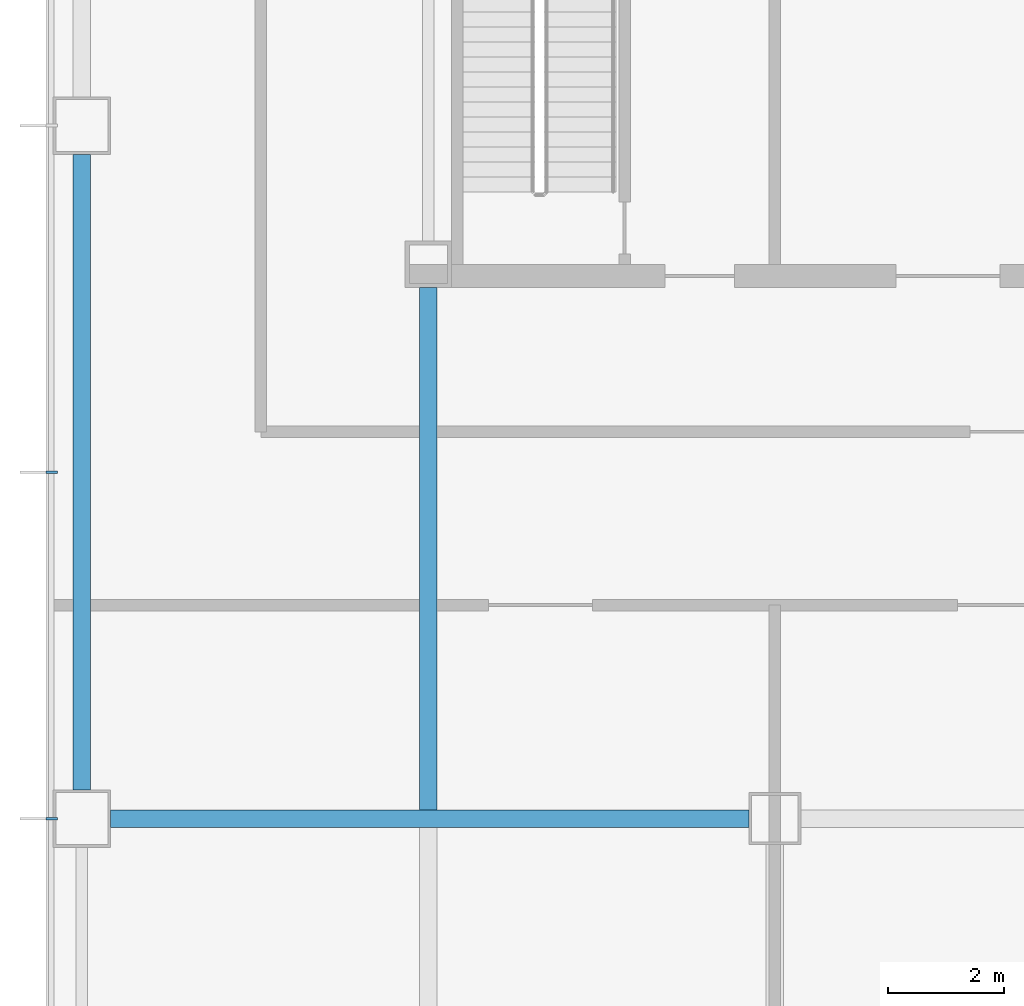
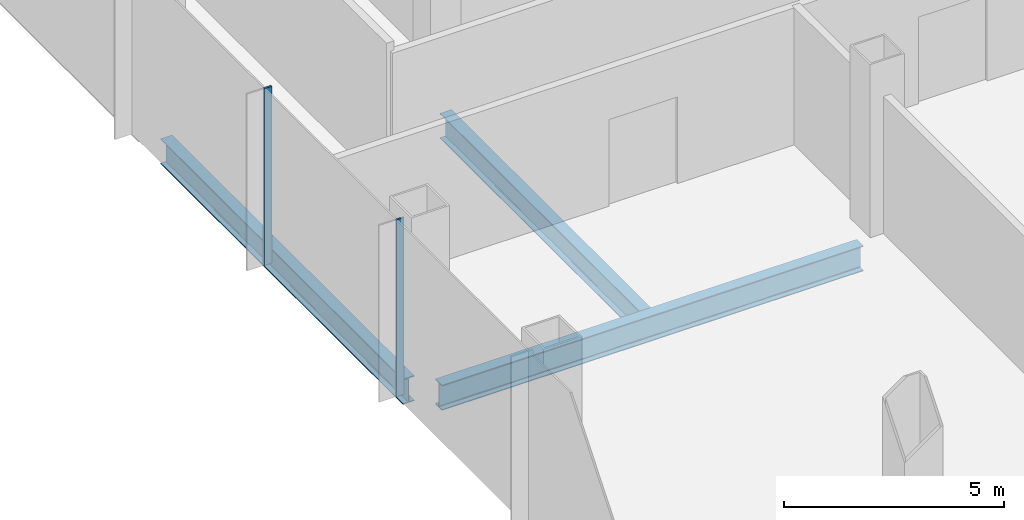
# One storey, part 4 of 34: 3 beams, 2 members, 1 element without a shape of its own.
"""IFC4 building model written with IfcOpenShell, lengths in metres."""

from ifc_helpers import new_model, si_unit, direction, frame, origin, origin_2d, place, context, subcontext, project, spatial, rectangle, i_section, extrude, material, material_profile, profile_set, type_object, element, aggregate, save


model = new_model("IFC4")

# Units and contexts
model_context = context("Model", 3, precision=1e-05, world=origin(), true_north=direction((0.0, 1.0)))
body_context = subcontext(model_context, "Body", "Model", "MODEL_VIEW")
ifc_project = project(units=[si_unit("LENGTHUNIT", "METRE"), si_unit("AREAUNIT", "SQUARE_METRE"), si_unit("VOLUMEUNIT", "CUBIC_METRE"), si_unit("PLANEANGLEUNIT", "RADIAN"), si_unit("MASSUNIT", "GRAM", prefix="KILO")], contexts=[model_context])

# Site, building, storey
site_placement = place(None, origin())
site = spatial("IfcSite", under=ifc_project, at=site_placement, CompositionType="ELEMENT")
building_placement = place(site_placement, origin())
building = spatial("IfcBuilding", under=site, at=building_placement, Name="Sorahane Residences", CompositionType="ELEMENT")
storey_placement = place(building_placement, frame((0.0, 0.0, 39.60009765625)))
storey = spatial("IfcBuildingStorey", under=building, at=storey_placement, Name="L06", CompositionType="ELEMENT", Elevation=39.60009765625)

# Curtain wall, members
ifc_material_1 = material(Name="Dark low-e glass and black anodised aluminium", Category="aluminium")
curtain_wall_type = type_object("IfcCurtainWallType", Name="Curtain wall CW-3 Podium unitised wall", PredefinedType="NOTDEFINED", material=ifc_material_1)
curtain_wall_placement = place(storey_placement, origin())
curtain_wall = element("IfcCurtainWall", 1, at=curtain_wall_placement, inside=storey, type_object=curtain_wall_type, Name="CW-3 curtain wall L06 W1", PredefinedType="NOTDEFINED")
ifc_material_2 = material(Name="Black anodised aluminium", Category="aluminium")
ifc_material_profile_1 = material_profile(ifc_material_2, rectangle(XDim=0.199951171875, YDim=0.050048828125, at=origin_2d()), Name="Curtain wall mullion CW-3 black anodised aluminium 50x200")
ifc_profile_set_1 = profile_set([ifc_material_profile_1], Name="Black anodised aluminium")
member_type = type_object("IfcMemberType", Name="Curtain wall mullion CW-3 black anodised aluminium 50x200", PredefinedType="MULLION", material=ifc_profile_set_1)
member_1_placement = place(storey_placement, frame((-0.52001953125, 18.0, -0.400146484375), z_axis=(0.0, 0.0, 1.0), x_axis=(-1.0, 0.0, 0.0)))
member_1 = element("IfcMember", 2, at=member_1_placement, type_object=member_type, Name="CW-3 mullion L06 W1.6", PredefinedType="MULLION", context=body_context, shape_type="SweptSolid", body=[
    extrude(rectangle(XDim=0.199951171875, YDim=0.050048828125, at=origin_2d()), origin(), (0.0, 0.0, 1.0), 4.900146484375),
])
member_2_placement = place(storey_placement, frame((-0.52001953125, 12.0, -0.400146484375), z_axis=(0.0, 0.0, 1.0), x_axis=(-1.0, 0.0, 0.0)))
member_2 = element("IfcMember", 3, at=member_2_placement, type_object=member_type, Name="CW-3 mullion L06 W1.7", PredefinedType="MULLION", context=body_context, shape_type="SweptSolid", body=[
    extrude(rectangle(XDim=0.199951171875, YDim=0.050048828125, at=origin_2d()), origin(), (0.0, 0.0, 1.0), 4.900146484375),
])
aggregate(curtain_wall, [member_1, member_2])

# Beams
ifc_material_3 = material(Name="Steel Q355B", Category="steel")
ifc_material_profile_2 = material_profile(ifc_material_3, i_section(OverallWidth=0.300048828125, OverallDepth=0.699951171875, WebThickness=0.012939453125, FlangeThickness=0.02392578125, FilletRadius=0.028076171875, at=origin_2d()), Name="HN 700x300x13x24")
ifc_profile_set_2 = profile_set([ifc_material_profile_2], Name="Steel Q355B")
beam_type = type_object("IfcBeamType", Name="Steel floor beam HN 700x300x13x24 Q355B", PredefinedType="BEAM", material=ifc_profile_set_2)
beam_1_placement = place(storey_placement, frame((0.5, 12.0, -0.75), z_axis=(1.0, 0.0, 0.0), x_axis=(0.0, 1.0, 0.0)))
element("IfcBeam", 4, at=beam_1_placement, inside=storey, type_object=beam_type, Name="Beam L06 008", PredefinedType="BEAM", context=body_context, shape_type="SweptSolid", body=[
    extrude(i_section(OverallWidth=0.300048828125, OverallDepth=0.699951171875, WebThickness=0.012939453125, FlangeThickness=0.02392578125, FilletRadius=0.028076171875, at=origin_2d()), origin(), (0.0, 0.0, 1.0), 11.050048828125),
])
beam_2_placement = place(storey_placement, frame((0.0, 12.5, -0.75), z_axis=(0.0, 1.0, 0.0), x_axis=(-1.0, 0.0, 0.0)))
element("IfcBeam", 5, at=beam_2_placement, inside=storey, type_object=beam_type, Name="Beam L06 026", PredefinedType="BEAM", context=body_context, shape_type="SweptSolid", body=[
    extrude(i_section(OverallWidth=0.300048828125, OverallDepth=0.699951171875, WebThickness=0.012939453125, FlangeThickness=0.02392578125, FilletRadius=0.028076171875, at=origin_2d()), origin(), (0.0, 0.0, 1.0), 11.0),
])
beam_3_placement = place(storey_placement, frame((6.0, 12.14990234375, -0.75), z_axis=(0.0, 1.0, 0.0), x_axis=(-1.0, 0.0, 0.0)))
element("IfcBeam", 6, at=beam_3_placement, inside=storey, type_object=beam_type, Name="Beam L06 030", PredefinedType="BEAM", context=body_context, shape_type="SweptSolid", body=[
    extrude(i_section(OverallWidth=0.300048828125, OverallDepth=0.699951171875, WebThickness=0.012939453125, FlangeThickness=0.02392578125, FilletRadius=0.028076171875, at=origin_2d()), origin(), (0.0, 0.0, 1.0), 9.050048828125),
])

save(model, "model.ifc")
